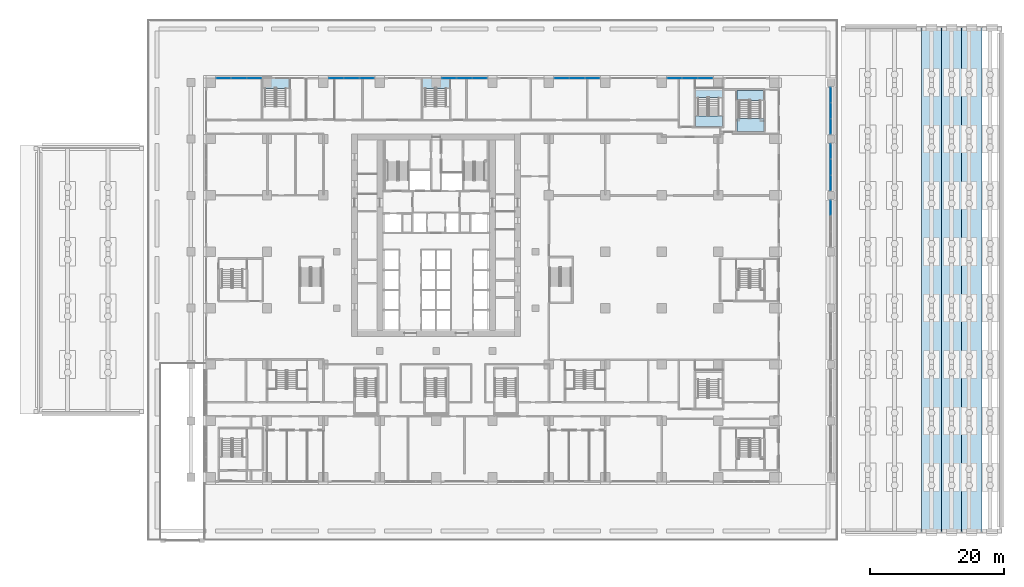
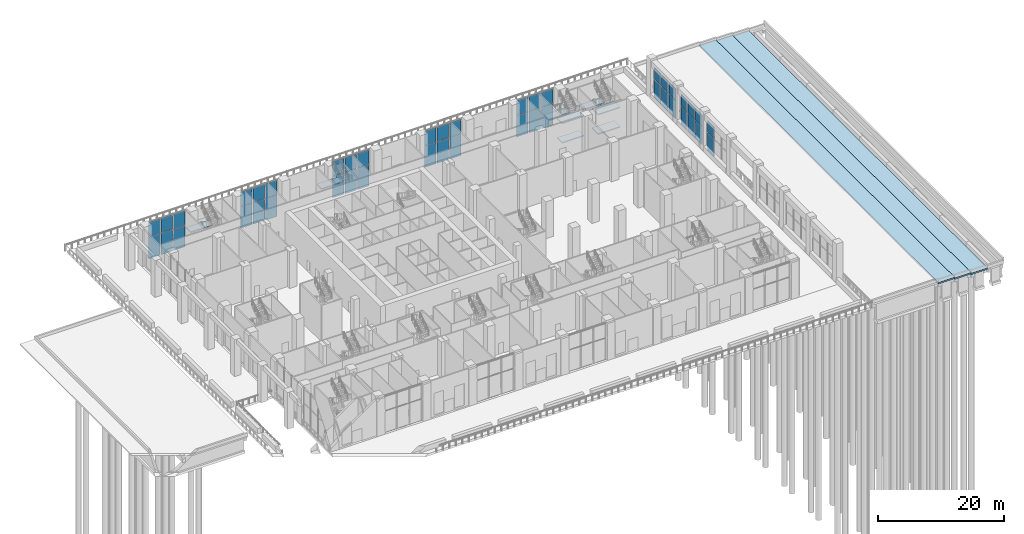
# One storey, part 18 of 53: 44 plates, 11 slabs, 12 elements without a shape of their own.
"""IFC4 building model written with IfcOpenShell, lengths in metres."""

from ifc_helpers import new_model, si_unit, direction, frame, origin, origin_2d, place, context, subcontext, project, spatial, polyline, rectangle, outline, extrude, material, layer, layer_set, type_object, element, aggregate, save


model = new_model("IFC4")

# Units and contexts
model_context = context("Model", 3, precision=1e-05, world=origin(), true_north=direction((0.0, 1.0)))
body_context = subcontext(model_context, "Body", "Model", "MODEL_VIEW")
ifc_project = project(units=[si_unit("LENGTHUNIT", "METRE"), si_unit("AREAUNIT", "SQUARE_METRE"), si_unit("VOLUMEUNIT", "CUBIC_METRE"), si_unit("PLANEANGLEUNIT", "RADIAN"), si_unit("MASSUNIT", "GRAM", prefix="KILO")], contexts=[model_context])

# Site, building, storey
site_placement = place(None, origin())
site = spatial("IfcSite", under=ifc_project, at=site_placement, CompositionType="ELEMENT")
building_placement = place(site_placement, origin())
building = spatial("IfcBuilding", under=site, at=building_placement, Name="Vermilion Ogive Tower", CompositionType="ELEMENT")
storey_placement = place(building_placement, origin())
storey = spatial("IfcBuildingStorey", under=building, at=storey_placement, Name="L00", CompositionType="ELEMENT", Elevation=0.0)

# Curtain wall, plates
ifc_material_1 = material(Name="Clear double glazing in aluminium frame", Category="aluminium")
curtain_wall_type_1 = type_object("IfcCurtainWallType", Name="Curtain wall CW1", PredefinedType="NOTDEFINED", material=ifc_material_1)
curtain_wall_1_placement = place(storey_placement, origin())
curtain_wall_1 = element("IfcCurtainWall", 1, at=curtain_wall_1_placement, inside=storey, type_object=curtain_wall_type_1, Name="CW1 shopfront glazing N2", PredefinedType="NOTDEFINED")
ifc_material_2 = material(Name="Clear double glazing in aluminium frame", Category="aluminium")
ifc_layer_1 = layer(ifc_material_2, 0.031982421875)
ifc_layer_set_1 = layer_set([ifc_layer_1], Name="CW1 glazing panel 32")
plate_type_1 = type_object("IfcPlateType", Name="CW1 glazing panel 32", PredefinedType="CURTAIN_PANEL", material=ifc_layer_set_1)
plate_1_placement = place(storey_placement, frame((40.08837890625, 30.06005859375, 0.06005859375), z_axis=(0.0, 0.0, 1.0), x_axis=(-1.0, 0.0, 0.0)))
plate_1 = element("IfcPlate", 2, at=plate_1_placement, type_object=plate_type_1, Name="CW1-N2 panel 1.1", PredefinedType="CURTAIN_PANEL", context=body_context, shape_type="SweptSolid", body=[
    extrude(rectangle(XDim=2.063232421875, YDim=0.031982421875, at=origin_2d()), origin(), (0.0, 0.0, 1.0), 4.169921875),
])
plate_2_placement = place(storey_placement, frame((40.08837890625, 30.06005859375, 4.2900390625), z_axis=(0.0, 0.0, 1.0), x_axis=(-1.0, 0.0, 0.0)))
plate_2 = element("IfcPlate", 3, at=plate_2_placement, type_object=plate_type_1, Name="CW1-N2 panel 1.2", PredefinedType="CURTAIN_PANEL", context=body_context, shape_type="SweptSolid", body=[
    extrude(rectangle(XDim=2.063232421875, YDim=0.031982421875, at=origin_2d()), origin(), (0.0, 0.0, 1.0), 2.75),
])
plate_3_placement = place(storey_placement, frame((37.800048828125, 30.06005859375, 0.06005859375), z_axis=(0.0, 0.0, 1.0), x_axis=(-1.0, 0.0, 0.0)))
plate_3 = element("IfcPlate", 4, at=plate_3_placement, type_object=plate_type_1, Name="CW1-N2 panel 2.1", PredefinedType="CURTAIN_PANEL", context=body_context, shape_type="SweptSolid", body=[
    extrude(rectangle(XDim=2.1533203125, YDim=0.031982421875, at=origin_2d()), origin(), (0.0, 0.0, 1.0), 4.169921875),
])
plate_4_placement = place(storey_placement, frame((37.800048828125, 30.06005859375, 4.2900390625), z_axis=(0.0, 0.0, 1.0), x_axis=(-1.0, 0.0, 0.0)))
plate_4 = element("IfcPlate", 5, at=plate_4_placement, type_object=plate_type_1, Name="CW1-N2 panel 2.2", PredefinedType="CURTAIN_PANEL", context=body_context, shape_type="SweptSolid", body=[
    extrude(rectangle(XDim=2.1533203125, YDim=0.031982421875, at=origin_2d()), origin(), (0.0, 0.0, 1.0), 2.75),
])
plate_5_placement = place(storey_placement, frame((35.51171875, 30.06005859375, 0.06005859375), z_axis=(0.0, 0.0, 1.0), x_axis=(-1.0, 0.0, 0.0)))
plate_5 = element("IfcPlate", 6, at=plate_5_placement, type_object=plate_type_1, Name="CW1-N2 panel 3.1", PredefinedType="CURTAIN_PANEL", context=body_context, shape_type="SweptSolid", body=[
    extrude(rectangle(XDim=2.063232421875, YDim=0.031982421875, at=origin_2d()), origin(), (0.0, 0.0, 1.0), 4.169921875),
])
plate_6_placement = place(storey_placement, frame((35.51171875, 30.06005859375, 4.2900390625), z_axis=(0.0, 0.0, 1.0), x_axis=(-1.0, 0.0, 0.0)))
plate_6 = element("IfcPlate", 7, at=plate_6_placement, type_object=plate_type_1, Name="CW1-N2 panel 3.2", PredefinedType="CURTAIN_PANEL", context=body_context, shape_type="SweptSolid", body=[
    extrude(rectangle(XDim=2.063232421875, YDim=0.031982421875, at=origin_2d()), origin(), (0.0, 0.0, 1.0), 2.75),
])
aggregate(curtain_wall_1, [plate_1, plate_2, plate_3, plate_4, plate_5, plate_6])

curtain_wall_2_placement = place(storey_placement, origin())
curtain_wall_2 = element("IfcCurtainWall", 8, at=curtain_wall_2_placement, inside=storey, type_object=curtain_wall_type_1, Name="CW1 shopfront glazing N4", PredefinedType="NOTDEFINED")
plate_7_placement = place(storey_placement, frame((23.288330078125, 30.06005859375, 0.06005859375), z_axis=(0.0, 0.0, 1.0), x_axis=(-1.0, 0.0, 0.0)))
plate_7 = element("IfcPlate", 9, at=plate_7_placement, type_object=plate_type_1, Name="CW1-N4 panel 1.1", PredefinedType="CURTAIN_PANEL", context=body_context, shape_type="SweptSolid", body=[
    extrude(rectangle(XDim=2.063232421875, YDim=0.031982421875, at=origin_2d()), origin(), (0.0, 0.0, 1.0), 4.169921875),
])
plate_8_placement = place(storey_placement, frame((23.288330078125, 30.06005859375, 4.2900390625), z_axis=(0.0, 0.0, 1.0), x_axis=(-1.0, 0.0, 0.0)))
plate_8 = element("IfcPlate", 10, at=plate_8_placement, type_object=plate_type_1, Name="CW1-N4 panel 1.2", PredefinedType="CURTAIN_PANEL", context=body_context, shape_type="SweptSolid", body=[
    extrude(rectangle(XDim=2.063232421875, YDim=0.031982421875, at=origin_2d()), origin(), (0.0, 0.0, 1.0), 2.75),
])
plate_9_placement = place(storey_placement, frame((21.0, 30.06005859375, 0.06005859375), z_axis=(0.0, 0.0, 1.0), x_axis=(-1.0, 0.0, 0.0)))
plate_9 = element("IfcPlate", 11, at=plate_9_placement, type_object=plate_type_1, Name="CW1-N4 panel 2.1", PredefinedType="CURTAIN_PANEL", context=body_context, shape_type="SweptSolid", body=[
    extrude(rectangle(XDim=2.1533203125, YDim=0.031982421875, at=origin_2d()), origin(), (0.0, 0.0, 1.0), 4.169921875),
])
plate_10_placement = place(storey_placement, frame((21.0, 30.06005859375, 4.2900390625), z_axis=(0.0, 0.0, 1.0), x_axis=(-1.0, 0.0, 0.0)))
plate_10 = element("IfcPlate", 12, at=plate_10_placement, type_object=plate_type_1, Name="CW1-N4 panel 2.2", PredefinedType="CURTAIN_PANEL", context=body_context, shape_type="SweptSolid", body=[
    extrude(rectangle(XDim=2.1533203125, YDim=0.031982421875, at=origin_2d()), origin(), (0.0, 0.0, 1.0), 2.75),
])
plate_11_placement = place(storey_placement, frame((18.711669921875, 30.06005859375, 0.06005859375), z_axis=(0.0, 0.0, 1.0), x_axis=(-1.0, 0.0, 0.0)))
plate_11 = element("IfcPlate", 13, at=plate_11_placement, type_object=plate_type_1, Name="CW1-N4 panel 3.1", PredefinedType="CURTAIN_PANEL", context=body_context, shape_type="SweptSolid", body=[
    extrude(rectangle(XDim=2.063232421875, YDim=0.031982421875, at=origin_2d()), origin(), (0.0, 0.0, 1.0), 4.169921875),
])
plate_12_placement = place(storey_placement, frame((18.711669921875, 30.06005859375, 4.2900390625), z_axis=(0.0, 0.0, 1.0), x_axis=(-1.0, 0.0, 0.0)))
plate_12 = element("IfcPlate", 14, at=plate_12_placement, type_object=plate_type_1, Name="CW1-N4 panel 3.2", PredefinedType="CURTAIN_PANEL", context=body_context, shape_type="SweptSolid", body=[
    extrude(rectangle(XDim=2.063232421875, YDim=0.031982421875, at=origin_2d()), origin(), (0.0, 0.0, 1.0), 2.75),
])
aggregate(curtain_wall_2, [plate_7, plate_8, plate_9, plate_10, plate_11, plate_12])

curtain_wall_3_placement = place(storey_placement, origin())
curtain_wall_3 = element("IfcCurtainWall", 15, at=curtain_wall_3_placement, inside=storey, type_object=curtain_wall_type_1, Name="CW1 shopfront glazing N6", PredefinedType="NOTDEFINED")
plate_13_placement = place(storey_placement, frame((6.48828125, 30.06005859375, 0.06005859375), z_axis=(0.0, 0.0, 1.0), x_axis=(-1.0, 0.0, 0.0)))
plate_13 = element("IfcPlate", 16, at=plate_13_placement, type_object=plate_type_1, Name="CW1-N6 panel 1.1", PredefinedType="CURTAIN_PANEL", context=body_context, shape_type="SweptSolid", body=[
    extrude(rectangle(XDim=2.063232421875, YDim=0.031982421875, at=origin_2d()), origin(), (0.0, 0.0, 1.0), 4.169921875),
])
plate_14_placement = place(storey_placement, frame((6.48828125, 30.06005859375, 4.2900390625), z_axis=(0.0, 0.0, 1.0), x_axis=(-1.0, 0.0, 0.0)))
plate_14 = element("IfcPlate", 17, at=plate_14_placement, type_object=plate_type_1, Name="CW1-N6 panel 1.2", PredefinedType="CURTAIN_PANEL", context=body_context, shape_type="SweptSolid", body=[
    extrude(rectangle(XDim=2.063232421875, YDim=0.031982421875, at=origin_2d()), origin(), (0.0, 0.0, 1.0), 2.75),
])
plate_15_placement = place(storey_placement, frame((4.199951171875, 30.06005859375, 0.06005859375), z_axis=(0.0, 0.0, 1.0), x_axis=(-1.0, 0.0, 0.0)))
plate_15 = element("IfcPlate", 18, at=plate_15_placement, type_object=plate_type_1, Name="CW1-N6 panel 2.1", PredefinedType="CURTAIN_PANEL", context=body_context, shape_type="SweptSolid", body=[
    extrude(rectangle(XDim=2.1533203125, YDim=0.031982421875, at=origin_2d()), origin(), (0.0, 0.0, 1.0), 4.169921875),
])
plate_16_placement = place(storey_placement, frame((4.199951171875, 30.06005859375, 4.2900390625), z_axis=(0.0, 0.0, 1.0), x_axis=(-1.0, 0.0, 0.0)))
plate_16 = element("IfcPlate", 19, at=plate_16_placement, type_object=plate_type_1, Name="CW1-N6 panel 2.2", PredefinedType="CURTAIN_PANEL", context=body_context, shape_type="SweptSolid", body=[
    extrude(rectangle(XDim=2.1533203125, YDim=0.031982421875, at=origin_2d()), origin(), (0.0, 0.0, 1.0), 2.75),
])
plate_17_placement = place(storey_placement, frame((1.91162109375, 30.06005859375, 0.06005859375), z_axis=(0.0, 0.0, 1.0), x_axis=(-1.0, 0.0, 0.0)))
plate_17 = element("IfcPlate", 20, at=plate_17_placement, type_object=plate_type_1, Name="CW1-N6 panel 3.1", PredefinedType="CURTAIN_PANEL", context=body_context, shape_type="SweptSolid", body=[
    extrude(rectangle(XDim=2.063232421875, YDim=0.031982421875, at=origin_2d()), origin(), (0.0, 0.0, 1.0), 4.169921875),
])
plate_18_placement = place(storey_placement, frame((1.91162109375, 30.06005859375, 4.2900390625), z_axis=(0.0, 0.0, 1.0), x_axis=(-1.0, 0.0, 0.0)))
plate_18 = element("IfcPlate", 21, at=plate_18_placement, type_object=plate_type_1, Name="CW1-N6 panel 3.2", PredefinedType="CURTAIN_PANEL", context=body_context, shape_type="SweptSolid", body=[
    extrude(rectangle(XDim=2.063232421875, YDim=0.031982421875, at=origin_2d()), origin(), (0.0, 0.0, 1.0), 2.75),
])
aggregate(curtain_wall_3, [plate_13, plate_14, plate_15, plate_16, plate_17, plate_18])

curtain_wall_4_placement = place(storey_placement, origin())
curtain_wall_4 = element("IfcCurtainWall", 22, at=curtain_wall_4_placement, inside=storey, type_object=curtain_wall_type_1, Name="CW1 shopfront glazing N8", PredefinedType="NOTDEFINED")
plate_19_placement = place(storey_placement, frame((-10.311767578125, 30.06005859375, 0.06005859375), z_axis=(0.0, 0.0, 1.0), x_axis=(-1.0, 0.0, 0.0)))
plate_19 = element("IfcPlate", 23, at=plate_19_placement, type_object=plate_type_1, Name="CW1-N8 panel 1.1", PredefinedType="CURTAIN_PANEL", context=body_context, shape_type="SweptSolid", body=[
    extrude(rectangle(XDim=2.063232421875, YDim=0.031982421875, at=origin_2d()), origin(), (0.0, 0.0, 1.0), 4.169921875),
])
plate_20_placement = place(storey_placement, frame((-10.311767578125, 30.06005859375, 4.2900390625), z_axis=(0.0, 0.0, 1.0), x_axis=(-1.0, 0.0, 0.0)))
plate_20 = element("IfcPlate", 24, at=plate_20_placement, type_object=plate_type_1, Name="CW1-N8 panel 1.2", PredefinedType="CURTAIN_PANEL", context=body_context, shape_type="SweptSolid", body=[
    extrude(rectangle(XDim=2.063232421875, YDim=0.031982421875, at=origin_2d()), origin(), (0.0, 0.0, 1.0), 2.75),
])
plate_21_placement = place(storey_placement, frame((-12.60009765625, 30.06005859375, 0.06005859375), z_axis=(0.0, 0.0, 1.0), x_axis=(-1.0, 0.0, 0.0)))
plate_21 = element("IfcPlate", 25, at=plate_21_placement, type_object=plate_type_1, Name="CW1-N8 panel 2.1", PredefinedType="CURTAIN_PANEL", context=body_context, shape_type="SweptSolid", body=[
    extrude(rectangle(XDim=2.1533203125, YDim=0.031982421875, at=origin_2d()), origin(), (0.0, 0.0, 1.0), 4.169921875),
])
plate_22_placement = place(storey_placement, frame((-12.60009765625, 30.06005859375, 4.2900390625), z_axis=(0.0, 0.0, 1.0), x_axis=(-1.0, 0.0, 0.0)))
plate_22 = element("IfcPlate", 26, at=plate_22_placement, type_object=plate_type_1, Name="CW1-N8 panel 2.2", PredefinedType="CURTAIN_PANEL", context=body_context, shape_type="SweptSolid", body=[
    extrude(rectangle(XDim=2.1533203125, YDim=0.031982421875, at=origin_2d()), origin(), (0.0, 0.0, 1.0), 2.75),
])
plate_23_placement = place(storey_placement, frame((-14.888427734375, 30.06005859375, 0.06005859375), z_axis=(0.0, 0.0, 1.0), x_axis=(-1.0, 0.0, 0.0)))
plate_23 = element("IfcPlate", 27, at=plate_23_placement, type_object=plate_type_1, Name="CW1-N8 panel 3.1", PredefinedType="CURTAIN_PANEL", context=body_context, shape_type="SweptSolid", body=[
    extrude(rectangle(XDim=2.063232421875, YDim=0.031982421875, at=origin_2d()), origin(), (0.0, 0.0, 1.0), 4.169921875),
])
plate_24_placement = place(storey_placement, frame((-14.888427734375, 30.06005859375, 4.2900390625), z_axis=(0.0, 0.0, 1.0), x_axis=(-1.0, 0.0, 0.0)))
plate_24 = element("IfcPlate", 28, at=plate_24_placement, type_object=plate_type_1, Name="CW1-N8 panel 3.2", PredefinedType="CURTAIN_PANEL", context=body_context, shape_type="SweptSolid", body=[
    extrude(rectangle(XDim=2.063232421875, YDim=0.031982421875, at=origin_2d()), origin(), (0.0, 0.0, 1.0), 2.75),
])
aggregate(curtain_wall_4, [plate_19, plate_20, plate_21, plate_22, plate_23, plate_24])

curtain_wall_5_placement = place(storey_placement, origin())
curtain_wall_5 = element("IfcCurtainWall", 29, at=curtain_wall_5_placement, inside=storey, type_object=curtain_wall_type_1, Name="CW1 shopfront glazing N10", PredefinedType="NOTDEFINED")
plate_25_placement = place(storey_placement, frame((-27.111572265625, 30.06005859375, 0.06005859375), z_axis=(0.0, 0.0, 1.0), x_axis=(-1.0, 0.0, 0.0)))
plate_25 = element("IfcPlate", 30, at=plate_25_placement, type_object=plate_type_1, Name="CW1-N10 panel 1.1", PredefinedType="CURTAIN_PANEL", context=body_context, shape_type="SweptSolid", body=[
    extrude(rectangle(XDim=2.063232421875, YDim=0.031982421875, at=origin_2d()), origin(), (0.0, 0.0, 1.0), 4.169921875),
])
plate_26_placement = place(storey_placement, frame((-27.111572265625, 30.06005859375, 4.2900390625), z_axis=(0.0, 0.0, 1.0), x_axis=(-1.0, 0.0, 0.0)))
plate_26 = element("IfcPlate", 31, at=plate_26_placement, type_object=plate_type_1, Name="CW1-N10 panel 1.2", PredefinedType="CURTAIN_PANEL", context=body_context, shape_type="SweptSolid", body=[
    extrude(rectangle(XDim=2.063232421875, YDim=0.031982421875, at=origin_2d()), origin(), (0.0, 0.0, 1.0), 2.75),
])
plate_27_placement = place(storey_placement, frame((-29.39990234375, 30.06005859375, 0.06005859375), z_axis=(0.0, 0.0, 1.0), x_axis=(-1.0, 0.0, 0.0)))
plate_27 = element("IfcPlate", 32, at=plate_27_placement, type_object=plate_type_1, Name="CW1-N10 panel 2.1", PredefinedType="CURTAIN_PANEL", context=body_context, shape_type="SweptSolid", body=[
    extrude(rectangle(XDim=2.1533203125, YDim=0.031982421875, at=origin_2d()), origin(), (0.0, 0.0, 1.0), 4.169921875),
])
plate_28_placement = place(storey_placement, frame((-29.39990234375, 30.06005859375, 4.2900390625), z_axis=(0.0, 0.0, 1.0), x_axis=(-1.0, 0.0, 0.0)))
plate_28 = element("IfcPlate", 33, at=plate_28_placement, type_object=plate_type_1, Name="CW1-N10 panel 2.2", PredefinedType="CURTAIN_PANEL", context=body_context, shape_type="SweptSolid", body=[
    extrude(rectangle(XDim=2.1533203125, YDim=0.031982421875, at=origin_2d()), origin(), (0.0, 0.0, 1.0), 2.75),
])
plate_29_placement = place(storey_placement, frame((-31.688232421875, 30.06005859375, 0.06005859375), z_axis=(0.0, 0.0, 1.0), x_axis=(-1.0, 0.0, 0.0)))
plate_29 = element("IfcPlate", 34, at=plate_29_placement, type_object=plate_type_1, Name="CW1-N10 panel 3.1", PredefinedType="CURTAIN_PANEL", context=body_context, shape_type="SweptSolid", body=[
    extrude(rectangle(XDim=2.063232421875, YDim=0.031982421875, at=origin_2d()), origin(), (0.0, 0.0, 1.0), 4.169921875),
])
plate_30_placement = place(storey_placement, frame((-31.688232421875, 30.06005859375, 4.2900390625), z_axis=(0.0, 0.0, 1.0), x_axis=(-1.0, 0.0, 0.0)))
plate_30 = element("IfcPlate", 35, at=plate_30_placement, type_object=plate_type_1, Name="CW1-N10 panel 3.2", PredefinedType="CURTAIN_PANEL", context=body_context, shape_type="SweptSolid", body=[
    extrude(rectangle(XDim=2.063232421875, YDim=0.031982421875, at=origin_2d()), origin(), (0.0, 0.0, 1.0), 2.75),
])
aggregate(curtain_wall_5, [plate_25, plate_26, plate_27, plate_28, plate_29, plate_30])

ifc_material_3 = material(Name="Clear double glazing in aluminium frame", Category="aluminium")
curtain_wall_type_2 = type_object("IfcCurtainWallType", Name="Curtain wall CW2", PredefinedType="NOTDEFINED", material=ifc_material_3)
curtain_wall_6_placement = place(storey_placement, origin())
curtain_wall_6 = element("IfcCurtainWall", 36, at=curtain_wall_6_placement, inside=storey, type_object=curtain_wall_type_2, Name="CW2 arcade glazing L00 5", PredefinedType="NOTDEFINED")
ifc_material_4 = material(Name="Clear double glazing in aluminium frame", Category="aluminium")
ifc_layer_2 = layer(ifc_material_4, 0.031982421875)
ifc_layer_set_2 = layer_set([ifc_layer_2], Name="CW2 glazing panel 32")
plate_type_2 = type_object("IfcPlateType", Name="CW2 glazing panel 32", PredefinedType="CURTAIN_PANEL", material=ifc_layer_set_2)
plate_31_placement = place(storey_placement, frame((58.800048828125, 10.7548828125, 0.06005859375), z_axis=(0.0, 0.0, 1.0), x_axis=(0.0, 1.0, 0.0)))
plate_31 = element("IfcPlate", 37, at=plate_31_placement, type_object=plate_type_2, Name="CW2-005 panel 3.1", PredefinedType="CURTAIN_PANEL", context=body_context, shape_type="SweptSolid", body=[
    extrude(rectangle(XDim=2.1298828125, YDim=0.031982421875, at=origin_2d()), origin(), (0.0, 0.0, 1.0), 3.449951171875),
])
plate_32_placement = place(storey_placement, frame((58.800048828125, 10.7548828125, 3.570068359375), z_axis=(0.0, 0.0, 1.0), x_axis=(0.0, 1.0, 0.0)))
plate_32 = element("IfcPlate", 38, at=plate_32_placement, type_object=plate_type_2, Name="CW2-005 panel 3.2", PredefinedType="CURTAIN_PANEL", context=body_context, shape_type="SweptSolid", body=[
    extrude(rectangle(XDim=2.1298828125, YDim=0.031982421875, at=origin_2d()), origin(), (0.0, 0.0, 1.0), 2.27001953125),
])
aggregate(curtain_wall_6, [plate_31, plate_32])

curtain_wall_7_placement = place(storey_placement, origin())
curtain_wall_7 = element("IfcCurtainWall", 39, at=curtain_wall_7_placement, inside=storey, type_object=curtain_wall_type_2, Name="CW2 arcade glazing L00 6", PredefinedType="NOTDEFINED")
plate_33_placement = place(storey_placement, frame((58.800048828125, 14.445068359375, 0.06005859375), z_axis=(0.0, 0.0, 1.0), x_axis=(0.0, 1.0, 0.0)))
plate_33 = element("IfcPlate", 40, at=plate_33_placement, type_object=plate_type_2, Name="CW2-006 panel 1.1", PredefinedType="CURTAIN_PANEL", context=body_context, shape_type="SweptSolid", body=[
    extrude(rectangle(XDim=2.1298828125, YDim=0.031982421875, at=origin_2d()), origin(), (0.0, 0.0, 1.0), 3.449951171875),
])
plate_34_placement = place(storey_placement, frame((58.800048828125, 14.445068359375, 3.570068359375), z_axis=(0.0, 0.0, 1.0), x_axis=(0.0, 1.0, 0.0)))
plate_34 = element("IfcPlate", 41, at=plate_34_placement, type_object=plate_type_2, Name="CW2-006 panel 1.2", PredefinedType="CURTAIN_PANEL", context=body_context, shape_type="SweptSolid", body=[
    extrude(rectangle(XDim=2.1298828125, YDim=0.031982421875, at=origin_2d()), origin(), (0.0, 0.0, 1.0), 2.27001953125),
])
plate_35_placement = place(storey_placement, frame((58.800048828125, 16.800048828125, 0.06005859375), z_axis=(0.0, 0.0, 1.0), x_axis=(0.0, 1.0, 0.0)))
plate_35 = element("IfcPlate", 42, at=plate_35_placement, type_object=plate_type_2, Name="CW2-006 panel 2.1", PredefinedType="CURTAIN_PANEL", context=body_context, shape_type="SweptSolid", body=[
    extrude(rectangle(XDim=2.219970703125, YDim=0.031982421875, at=origin_2d()), origin(), (0.0, 0.0, 1.0), 3.449951171875),
])
plate_36_placement = place(storey_placement, frame((58.800048828125, 16.800048828125, 3.570068359375), z_axis=(0.0, 0.0, 1.0), x_axis=(0.0, 1.0, 0.0)))
plate_36 = element("IfcPlate", 43, at=plate_36_placement, type_object=plate_type_2, Name="CW2-006 panel 2.2", PredefinedType="CURTAIN_PANEL", context=body_context, shape_type="SweptSolid", body=[
    extrude(rectangle(XDim=2.219970703125, YDim=0.031982421875, at=origin_2d()), origin(), (0.0, 0.0, 1.0), 2.27001953125),
])
plate_37_placement = place(storey_placement, frame((58.800048828125, 19.155029296875, 0.06005859375), z_axis=(0.0, 0.0, 1.0), x_axis=(0.0, 1.0, 0.0)))
plate_37 = element("IfcPlate", 44, at=plate_37_placement, type_object=plate_type_2, Name="CW2-006 panel 3.1", PredefinedType="CURTAIN_PANEL", context=body_context, shape_type="SweptSolid", body=[
    extrude(rectangle(XDim=2.1298828125, YDim=0.031982421875, at=origin_2d()), origin(), (0.0, 0.0, 1.0), 3.449951171875),
])
plate_38_placement = place(storey_placement, frame((58.800048828125, 19.155029296875, 3.570068359375), z_axis=(0.0, 0.0, 1.0), x_axis=(0.0, 1.0, 0.0)))
plate_38 = element("IfcPlate", 45, at=plate_38_placement, type_object=plate_type_2, Name="CW2-006 panel 3.2", PredefinedType="CURTAIN_PANEL", context=body_context, shape_type="SweptSolid", body=[
    extrude(rectangle(XDim=2.1298828125, YDim=0.031982421875, at=origin_2d()), origin(), (0.0, 0.0, 1.0), 2.27001953125),
])
aggregate(curtain_wall_7, [plate_33, plate_34, plate_35, plate_36, plate_37, plate_38])

curtain_wall_8_placement = place(storey_placement, origin())
curtain_wall_8 = element("IfcCurtainWall", 46, at=curtain_wall_8_placement, inside=storey, type_object=curtain_wall_type_2, Name="CW2 arcade glazing L00 7", PredefinedType="NOTDEFINED")
plate_39_placement = place(storey_placement, frame((58.800048828125, 22.844970703125, 0.06005859375), z_axis=(0.0, 0.0, 1.0), x_axis=(0.0, 1.0, 0.0)))
plate_39 = element("IfcPlate", 47, at=plate_39_placement, type_object=plate_type_2, Name="CW2-007 panel 1.1", PredefinedType="CURTAIN_PANEL", context=body_context, shape_type="SweptSolid", body=[
    extrude(rectangle(XDim=2.1298828125, YDim=0.031982421875, at=origin_2d()), origin(), (0.0, 0.0, 1.0), 3.449951171875),
])
plate_40_placement = place(storey_placement, frame((58.800048828125, 22.844970703125, 3.570068359375), z_axis=(0.0, 0.0, 1.0), x_axis=(0.0, 1.0, 0.0)))
plate_40 = element("IfcPlate", 48, at=plate_40_placement, type_object=plate_type_2, Name="CW2-007 panel 1.2", PredefinedType="CURTAIN_PANEL", context=body_context, shape_type="SweptSolid", body=[
    extrude(rectangle(XDim=2.1298828125, YDim=0.031982421875, at=origin_2d()), origin(), (0.0, 0.0, 1.0), 2.27001953125),
])
plate_41_placement = place(storey_placement, frame((58.800048828125, 25.199951171875, 0.06005859375), z_axis=(0.0, 0.0, 1.0), x_axis=(0.0, 1.0, 0.0)))
plate_41 = element("IfcPlate", 49, at=plate_41_placement, type_object=plate_type_2, Name="CW2-007 panel 2.1", PredefinedType="CURTAIN_PANEL", context=body_context, shape_type="SweptSolid", body=[
    extrude(rectangle(XDim=2.219970703125, YDim=0.031982421875, at=origin_2d()), origin(), (0.0, 0.0, 1.0), 3.449951171875),
])
plate_42_placement = place(storey_placement, frame((58.800048828125, 25.199951171875, 3.570068359375), z_axis=(0.0, 0.0, 1.0), x_axis=(0.0, 1.0, 0.0)))
plate_42 = element("IfcPlate", 50, at=plate_42_placement, type_object=plate_type_2, Name="CW2-007 panel 2.2", PredefinedType="CURTAIN_PANEL", context=body_context, shape_type="SweptSolid", body=[
    extrude(rectangle(XDim=2.219970703125, YDim=0.031982421875, at=origin_2d()), origin(), (0.0, 0.0, 1.0), 2.27001953125),
])
plate_43_placement = place(storey_placement, frame((58.800048828125, 27.554931640625, 0.06005859375), z_axis=(0.0, 0.0, 1.0), x_axis=(0.0, 1.0, 0.0)))
plate_43 = element("IfcPlate", 51, at=plate_43_placement, type_object=plate_type_2, Name="CW2-007 panel 3.1", PredefinedType="CURTAIN_PANEL", context=body_context, shape_type="SweptSolid", body=[
    extrude(rectangle(XDim=2.1298828125, YDim=0.031982421875, at=origin_2d()), origin(), (0.0, 0.0, 1.0), 3.449951171875),
])
plate_44_placement = place(storey_placement, frame((58.800048828125, 27.554931640625, 3.570068359375), z_axis=(0.0, 0.0, 1.0), x_axis=(0.0, 1.0, 0.0)))
plate_44 = element("IfcPlate", 52, at=plate_44_placement, type_object=plate_type_2, Name="CW2-007 panel 3.2", PredefinedType="CURTAIN_PANEL", context=body_context, shape_type="SweptSolid", body=[
    extrude(rectangle(XDim=2.1298828125, YDim=0.031982421875, at=origin_2d()), origin(), (0.0, 0.0, 1.0), 2.27001953125),
])
aggregate(curtain_wall_8, [plate_39, plate_40, plate_41, plate_42, plate_43, plate_44])

# Stair, slab
ifc_material_5 = material(Name="Concrete B40", Category="concrete")
stair_type = type_object("IfcStairType", Name="Exit stair 1500", PredefinedType="HALF_TURN_STAIR", material=ifc_material_5)
stair_1_placement = place(storey_placement, origin())
stair_1 = element("IfcStair", 53, at=stair_1_placement, inside=storey, type_object=stair_type, Name="L00 Exit Stair PS1", PredefinedType="HALF_TURN_STAIR")
ifc_material_6 = material(Name="Concrete B40", Category="concrete")
ifc_layer_3 = layer(ifc_material_6, 0.199951171875)
ifc_layer_set_3 = layer_set([ifc_layer_3], Name="Stair landing 200")
slab_type_1 = type_object("IfcSlabType", Name="Stair landing 200", PredefinedType="LANDING", material=ifc_layer_set_3)
slab_1_placement = place(storey_placement, frame((0.0, 0.0, 3.550048828125)))
slab_1 = element("IfcSlab", 54, at=slab_1_placement, type_object=slab_type_1, Name="PS1 landing 2", PredefinedType="LANDING", context=body_context, shape_type="SweptSolid", body=[
    extrude(outline(polyline([(-25.849853515625, 28.550048828125), (-25.5, 28.550048828125), (-25.5, 28.548095703125), (-24.0, 28.548095703125), (-24.0, 28.550048828125), (-23.85009765625, 28.550048828125), (-23.85009765625, 28.548095703125), (-22.35009765625, 28.548095703125), (-22.35009765625, 28.550048828125), (-21.85009765625, 28.550048828125), (-21.85009765625, 30.050048828125), (-25.849853515625, 30.050048828125), (-25.849853515625, 28.550048828125)])), origin(), (0.0, 0.0, 1.0), 0.199951171875),
])
aggregate(stair_1, [slab_1])

# Stair, slabs
stair_2_placement = place(storey_placement, origin())
stair_2 = element("IfcStair", 55, at=stair_2_placement, inside=storey, type_object=stair_type, Name="L00 Exit Stair PS2", PredefinedType="HALF_TURN_STAIR")
slab_2_placement = place(storey_placement, frame((0.0, 0.0, 1.675048828125)))
slab_2 = element("IfcSlab", 56, at=slab_2_placement, type_object=slab_type_1, Name="PS2 landing 1", PredefinedType="LANDING", context=body_context, shape_type="SweptSolid", body=[
    extrude(outline(polyline([(42.64990234375, 24.449951171875), (42.14990234375, 24.449951171875), (42.14990234375, 24.451904296875), (40.64990234375, 24.451904296875), (40.64990234375, 24.449951171875), (40.5, 24.449951171875), (40.5, 24.451904296875), (39.0, 24.451904296875), (39.0, 24.449951171875), (38.650146484375, 24.449951171875), (38.650146484375, 22.875), (42.64990234375, 22.875), (42.64990234375, 24.449951171875)])), origin(), (0.0, 0.0, 1.0), 0.199951171875),
])
slab_3_placement = place(storey_placement, frame((0.0, 0.0, 3.550048828125)))
slab_3 = element("IfcSlab", 57, at=slab_3_placement, type_object=slab_type_1, Name="PS2 landing 2", PredefinedType="LANDING", context=body_context, shape_type="SweptSolid", body=[
    extrude(outline(polyline([(38.650146484375, 27.14990234375), (39.0, 27.14990234375), (39.0, 27.14794921875), (40.5, 27.14794921875), (40.5, 27.14990234375), (40.64990234375, 27.14990234375), (40.64990234375, 27.14794921875), (42.14990234375, 27.14794921875), (42.14990234375, 27.14990234375), (42.64990234375, 27.14990234375), (42.64990234375, 28.64990234375), (38.650146484375, 28.64990234375), (38.650146484375, 27.14990234375)])), origin(), (0.0, 0.0, 1.0), 0.199951171875),
])
slab_4_placement = place(storey_placement, frame((0.0, 0.0, 5.425048828125)))
slab_4 = element("IfcSlab", 58, at=slab_4_placement, type_object=slab_type_1, Name="PS2 landing 3", PredefinedType="LANDING", context=body_context, shape_type="SweptSolid", body=[
    extrude(outline(polyline([(42.64990234375, 24.449951171875), (42.14990234375, 24.449951171875), (42.14990234375, 24.451904296875), (40.64990234375, 24.451904296875), (40.64990234375, 24.449951171875), (40.5, 24.449951171875), (40.5, 24.451904296875), (39.0, 24.451904296875), (39.0, 24.449951171875), (38.650146484375, 24.449951171875), (38.650146484375, 22.875), (42.64990234375, 22.875), (42.64990234375, 24.449951171875)])), origin(), (0.0, 0.0, 1.0), 0.199951171875),
])
aggregate(stair_2, [slab_2, slab_3, slab_4])

# Stair, slab
stair_3_placement = place(storey_placement, origin())
stair_3 = element("IfcStair", 59, at=stair_3_placement, inside=storey, type_object=stair_type, Name="L00 Exit Stair PS5", PredefinedType="HALF_TURN_STAIR")
slab_5_placement = place(storey_placement, frame((0.0, 0.0, 3.550048828125)))
slab_5 = element("IfcSlab", 60, at=slab_5_placement, type_object=slab_type_1, Name="PS5 landing 2", PredefinedType="LANDING", context=body_context, shape_type="SweptSolid", body=[
    extrude(outline(polyline([(-2.0, 28.550048828125), (-1.64990234375, 28.550048828125), (-1.64990234375, 28.548095703125), (-0.14990234375, 28.548095703125), (-0.14990234375, 28.550048828125), (0.0, 28.550048828125), (0.0, 28.548095703125), (1.5, 28.548095703125), (1.5, 28.550048828125), (2.0, 28.550048828125), (2.0, 30.050048828125), (-2.0, 30.050048828125), (-2.0, 28.550048828125)])), origin(), (0.0, 0.0, 1.0), 0.199951171875),
])
aggregate(stair_3, [slab_5])

# Stair, slabs
stair_4_placement = place(storey_placement, origin())
stair_4 = element("IfcStair", 61, at=stair_4_placement, inside=storey, type_object=stair_type, Name="L00 Exit Stair PEN", PredefinedType="HALF_TURN_STAIR")
slab_6_placement = place(storey_placement, frame((0.0, 0.0, 1.675048828125)))
slab_6 = element("IfcSlab", 62, at=slab_6_placement, type_object=slab_type_1, Name="PEN landing 1", PredefinedType="LANDING", context=body_context, shape_type="SweptSolid", body=[
    extrude(outline(polyline([(48.8125, 24.050048828125), (48.300048828125, 24.050048828125), (48.300048828125, 24.052001953125), (46.800048828125, 24.052001953125), (46.800048828125, 24.050048828125), (46.64990234375, 24.050048828125), (46.64990234375, 24.052001953125), (45.14990234375, 24.052001953125), (45.14990234375, 24.050048828125), (44.800048828125, 24.050048828125), (44.800048828125, 22.125), (48.8125, 22.125), (48.8125, 24.050048828125)])), origin(), (0.0, 0.0, 1.0), 0.199951171875),
])
slab_7_placement = place(storey_placement, frame((0.0, 0.0, 3.550048828125)))
slab_7 = element("IfcSlab", 63, at=slab_7_placement, type_object=slab_type_1, Name="PEN landing 2", PredefinedType="LANDING", context=body_context, shape_type="SweptSolid", body=[
    extrude(outline(polyline([(44.800048828125, 26.75), (45.14990234375, 26.75), (45.14990234375, 26.748046875), (46.64990234375, 26.748046875), (46.64990234375, 26.75), (46.800048828125, 26.75), (46.800048828125, 26.748046875), (48.300048828125, 26.748046875), (48.300048828125, 26.75), (48.8125, 26.75), (48.8125, 28.25), (44.800048828125, 28.25), (44.800048828125, 26.75)])), origin(), (0.0, 0.0, 1.0), 0.199951171875),
])
slab_8_placement = place(storey_placement, frame((0.0, 0.0, 5.425048828125)))
slab_8 = element("IfcSlab", 64, at=slab_8_placement, type_object=slab_type_1, Name="PEN landing 3", PredefinedType="LANDING", context=body_context, shape_type="SweptSolid", body=[
    extrude(outline(polyline([(48.8125, 24.050048828125), (48.300048828125, 24.050048828125), (48.300048828125, 24.052001953125), (46.800048828125, 24.052001953125), (46.800048828125, 24.050048828125), (46.64990234375, 24.050048828125), (46.64990234375, 24.052001953125), (45.14990234375, 24.052001953125), (45.14990234375, 24.050048828125), (44.800048828125, 24.050048828125), (44.800048828125, 22.125), (48.8125, 22.125), (48.8125, 24.050048828125)])), origin(), (0.0, 0.0, 1.0), 0.199951171875),
])
aggregate(stair_4, [slab_6, slab_7, slab_8])

# Slabs
ifc_material_7 = material(Name="Concrete B45", Category="concrete")
ifc_layer_4 = layer(ifc_material_7, 0.300048828125)
ifc_layer_set_4 = layer_set([ifc_layer_4], Name="Terrace step slab 300")
slab_type_2 = type_object("IfcSlabType", Name="Terrace step slab 300", PredefinedType="BASESLAB", material=ifc_layer_set_4)
slab_9_placement = place(storey_placement, frame((0.0, 0.0, -0.449951171875)))
element("IfcSlab", 65, at=slab_9_placement, inside=storey, type_object=slab_type_2, Name="Riverside terrace step 1", PredefinedType="BASESLAB", context=body_context, shape_type="SweptSolid", body=[
    extrude(outline(polyline([(75.300048828125, -37.800048828125), (75.300048828125, 37.800048828125), (72.300048828125, 37.800048828125), (72.300048828125, -37.800048828125), (75.300048828125, -37.800048828125)])), origin(), (0.0, 0.0, 1.0), 0.300048828125),
])
slab_10_placement = place(storey_placement, frame((0.0, 0.0, -0.60009765625)))
element("IfcSlab", 66, at=slab_10_placement, inside=storey, type_object=slab_type_2, Name="Riverside terrace step 2", PredefinedType="BASESLAB", context=body_context, shape_type="SweptSolid", body=[
    extrude(outline(polyline([(78.300048828125, -37.800048828125), (78.300048828125, 37.800048828125), (75.300048828125, 37.800048828125), (75.300048828125, -37.800048828125), (78.300048828125, -37.800048828125)])), origin(), (0.0, 0.0, 1.0), 0.300048828125),
])
slab_11_placement = place(storey_placement, frame((0.0, 0.0, -0.75)))
element("IfcSlab", 67, at=slab_11_placement, inside=storey, type_object=slab_type_2, Name="Riverside terrace step 3", PredefinedType="BASESLAB", context=body_context, shape_type="SweptSolid", body=[
    extrude(outline(polyline([(81.300048828125, -37.800048828125), (81.300048828125, 37.800048828125), (78.300048828125, 37.800048828125), (78.300048828125, -37.800048828125), (81.300048828125, -37.800048828125)])), origin(), (0.0, 0.0, 1.0), 0.300048828125),
])

save(model, "model.ifc")
